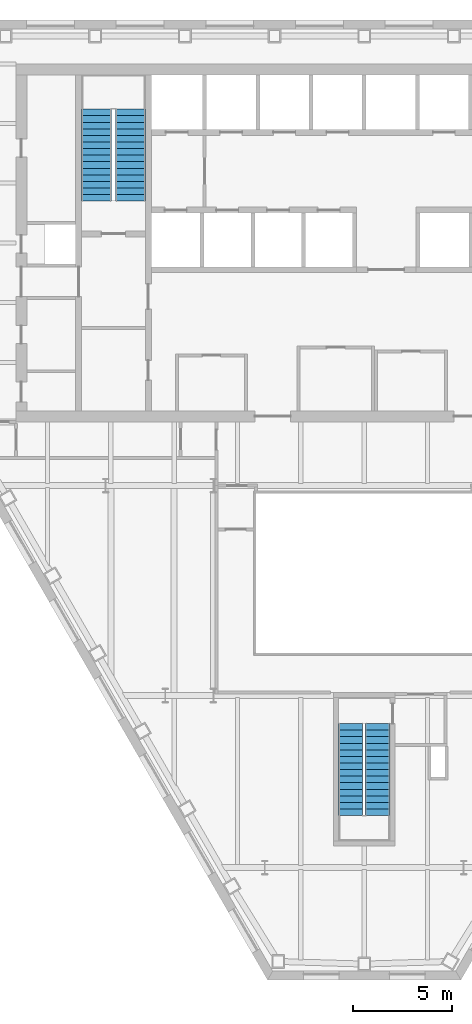
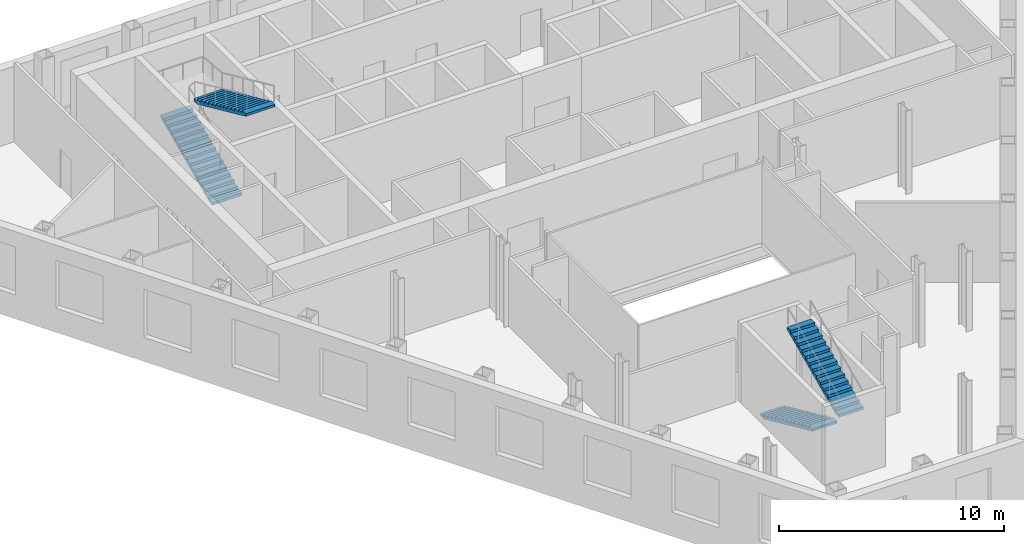
# One storey, part 9 of 11: 4 stair flights, 2 elements without a shape of their own.
"""IFC4 building model written with IfcOpenShell, lengths in metres."""

from ifc_helpers import new_model, si_unit, direction, frame, origin, place, context, subcontext, project, spatial, polygons, material, type_object, element, aggregate, save


model = new_model("IFC4")

# Units and contexts
model_context = context("Model", 3, precision=1e-05, world=origin(), true_north=direction((0.0, 1.0)))
body_context = subcontext(model_context, "Body", "Model", "MODEL_VIEW")
ifc_project = project(units=[si_unit("LENGTHUNIT", "METRE"), si_unit("AREAUNIT", "SQUARE_METRE"), si_unit("VOLUMEUNIT", "CUBIC_METRE"), si_unit("PLANEANGLEUNIT", "RADIAN"), si_unit("MASSUNIT", "GRAM", prefix="KILO")], contexts=[model_context])

# Site, building, storey
site_placement = place(None, origin())
site = spatial("IfcSite", under=ifc_project, at=site_placement, CompositionType="ELEMENT")
building_placement = place(site_placement, origin())
building = spatial("IfcBuilding", under=site, at=building_placement, Name="Njiva Tower", CompositionType="ELEMENT")
storey_placement = place(building_placement, frame((0.0, 0.0, 120.3)))
storey = spatial("IfcBuildingStorey", under=building, at=storey_placement, Name="L25", CompositionType="ELEMENT", Elevation=120.3)

# Stair, stair flights
ifc_material = material(Name="Concrete C40/50", Category="concrete")
stair_type_1 = type_object("IfcStairType", Name="ST1 Exit stair 1250", PredefinedType="HALF_TURN_STAIR", material=ifc_material)
stair_1_placement = place(storey_placement, origin())
stair_1 = element("IfcStair", 1, at=stair_1_placement, inside=storey, type_object=stair_type_1, Name="Stair C", PredefinedType="HALF_TURN_STAIR")
stair_flight_type_1 = type_object("IfcStairFlightType", Name="FL1 Stair flight 1250", PredefinedType="STRAIGHT", material=ifc_material)
stair_flight_1_placement = place(storey_placement, frame((-0.675, -15.16, 0.0), z_axis=(0.0, 0.0, 1.0), x_axis=(0.0, -1.0, 0.0)))
stair_flight_1 = element("IfcStairFlight", 2, at=stair_flight_1_placement, type_object=stair_flight_type_1, Name="ST-C flight 1", NumberOfRisers=15, NumberOfTreads=14, PredefinedType="STRAIGHT", RiserHeight=0.15, TreadLength=0.33, context=body_context, shape_type="Tessellation", body=[
    polygons([(0.0, 0.625, 0.0), (0.0, 0.3125, 0.0), (0.0, 0.0, 0.0), (0.0, -0.3125, 0.0), (0.0, -0.625, 0.0), (0.0, 0.625, 0.15), (0.0, 0.3125, 0.15), (0.0, 0.0, 0.15), (0.0, -0.3125, 0.15), (0.0, -0.625, 0.15), (0.33, 0.625, 0.15), (0.33, 0.3125, 0.15), (0.33, 0.0, 0.15), (0.33, -0.3125, 0.15), (0.33, -0.625, 0.15), (0.33, 0.625, 0.3), (0.33, 0.3125, 0.3), (0.33, 0.0, 0.3), (0.33, -0.3125, 0.3), (0.33, -0.625, 0.3), (0.66, 0.625, 0.3), (0.66, 0.3125, 0.3), (0.66, 0.0, 0.3), (0.66, -0.3125, 0.3), (0.66, -0.625, 0.3), (0.66, 0.625, 0.45), (0.66, 0.3125, 0.45), (0.66, 0.0, 0.45), (0.66, -0.3125, 0.45), (0.66, -0.625, 0.45), (0.99, 0.625, 0.45), (0.99, 0.3125, 0.45), (0.99, 0.0, 0.45), (0.99, -0.3125, 0.45), (0.99, -0.625, 0.45), (0.99, 0.625, 0.6), (0.99, 0.3125, 0.6), (0.99, 0.0, 0.6), (0.99, -0.3125, 0.6), (0.99, -0.625, 0.6), (1.32, 0.625, 0.6), (1.32, 0.3125, 0.6), (1.32, 0.0, 0.6), (1.32, -0.3125, 0.6), (1.32, -0.625, 0.6), (1.32, 0.625, 0.75), (1.32, 0.3125, 0.75), (1.32, 0.0, 0.75), (1.32, -0.3125, 0.75), (1.32, -0.625, 0.75), (1.65, 0.625, 0.75), (1.65, 0.3125, 0.75), (1.65, 0.0, 0.75), (1.65, -0.3125, 0.75), (1.65, -0.625, 0.75), (1.65, 0.625, 0.9), (1.65, 0.3125, 0.9), (1.65, 0.0, 0.9), (1.65, -0.3125, 0.9), (1.65, -0.625, 0.9), (1.98, 0.625, 0.9), (1.98, 0.3125, 0.9), (1.98, 0.0, 0.9), (1.98, -0.3125, 0.9), (1.98, -0.625, 0.9), (1.98, 0.625, 1.05), (1.98, 0.3125, 1.05), (1.98, 0.0, 1.05), (1.98, -0.3125, 1.05), (1.98, -0.625, 1.05), (2.31, 0.625, 1.05), (2.31, 0.3125, 1.05), (2.31, 0.0, 1.05), (2.31, -0.3125, 1.05), (2.31, -0.625, 1.05), (2.31, 0.625, 1.2), (2.31, 0.3125, 1.2), (2.31, 0.0, 1.2), (2.31, -0.3125, 1.2), (2.31, -0.625, 1.2), (2.64, 0.625, 1.2), (2.64, 0.3125, 1.2), (2.64, 0.0, 1.2), (2.64, -0.3125, 1.2), (2.64, -0.625, 1.2), (2.64, 0.625, 1.35), (2.64, 0.3125, 1.35), (2.64, 0.0, 1.35), (2.64, -0.3125, 1.35), (2.64, -0.625, 1.35), (2.97, 0.625, 1.35), (2.97, 0.3125, 1.35), (2.97, 0.0, 1.35), (2.97, -0.3125, 1.35), (2.97, -0.625, 1.35), (2.97, 0.625, 1.5), (2.97, 0.3125, 1.5), (2.97, 0.0, 1.5), (2.97, -0.3125, 1.5), (2.97, -0.625, 1.5), (3.3, 0.625, 1.5), (3.3, 0.3125, 1.5), (3.3, 0.0, 1.5), (3.3, -0.3125, 1.5), (3.3, -0.625, 1.5), (3.3, 0.625, 1.65), (3.3, 0.3125, 1.65), (3.3, 0.0, 1.65), (3.3, -0.3125, 1.65), (3.3, -0.625, 1.65), (3.63, 0.625, 1.65), (3.63, 0.3125, 1.65), (3.63, 0.0, 1.65), (3.63, -0.3125, 1.65), (3.63, -0.625, 1.65), (3.63, 0.625, 1.8), (3.63, 0.3125, 1.8), (3.63, 0.0, 1.8), (3.63, -0.3125, 1.8), (3.63, -0.625, 1.8), (3.96, 0.625, 1.8), (3.96, 0.3125, 1.8), (3.96, 0.0, 1.8), (3.96, -0.3125, 1.8), (3.96, -0.625, 1.8), (3.96, 0.625, 1.95), (3.96, 0.3125, 1.95), (3.96, 0.0, 1.95), (3.96, -0.3125, 1.95), (3.96, -0.625, 1.95), (4.29, 0.625, 1.95), (4.29, 0.3125, 1.95), (4.29, 0.0, 1.95), (4.29, -0.3125, 1.95), (4.29, -0.625, 1.95), (4.29, 0.625, 2.1), (4.29, 0.3125, 2.1), (4.29, 0.0, 2.1), (4.29, -0.3125, 2.1), (4.29, -0.625, 2.1), (4.62, 0.625, 2.1), (4.62, 0.3125, 2.1), (4.62, 0.0, 2.1), (4.62, -0.3125, 2.1), (4.62, -0.625, 2.1), (4.62, 0.625, 1.9682), (4.62, 0.3125, 1.9682), (4.62, 0.0, 1.9682), (4.62, -0.3125, 1.9682), (4.62, -0.625, 1.9682), (0.29, 0.625, 0.0), (0.29, 0.3125, 0.0), (0.29, 0.0, 0.0), (0.29, -0.3125, 0.0), (0.29, -0.625, 0.0)], [[[1, 6, 11, 16, 21, 26, 31, 36, 41, 46, 51, 56, 61, 66, 71, 76, 81, 86, 91, 96, 101, 106, 111, 116, 121, 126, 131, 136, 141, 146, 151]], [[155, 150, 145, 140, 135, 130, 125, 120, 115, 110, 105, 100, 95, 90, 85, 80, 75, 70, 65, 60, 55, 50, 45, 40, 35, 30, 25, 20, 15, 10, 5]], [[6, 1, 2, 7]], [[7, 2, 3, 8]], [[8, 3, 4, 9]], [[9, 4, 5, 10]], [[11, 6, 7, 12]], [[12, 7, 8, 13]], [[13, 8, 9, 14]], [[14, 9, 10, 15]], [[16, 11, 12, 17]], [[17, 12, 13, 18]], [[18, 13, 14, 19]], [[19, 14, 15, 20]], [[21, 16, 17, 22]], [[22, 17, 18, 23]], [[23, 18, 19, 24]], [[24, 19, 20, 25]], [[26, 21, 22, 27]], [[27, 22, 23, 28]], [[28, 23, 24, 29]], [[29, 24, 25, 30]], [[31, 26, 27, 32]], [[32, 27, 28, 33]], [[33, 28, 29, 34]], [[34, 29, 30, 35]], [[36, 31, 32, 37]], [[37, 32, 33, 38]], [[38, 33, 34, 39]], [[39, 34, 35, 40]], [[41, 36, 37, 42]], [[42, 37, 38, 43]], [[43, 38, 39, 44]], [[44, 39, 40, 45]], [[46, 41, 42, 47]], [[47, 42, 43, 48]], [[48, 43, 44, 49]], [[49, 44, 45, 50]], [[51, 46, 47, 52]], [[52, 47, 48, 53]], [[53, 48, 49, 54]], [[54, 49, 50, 55]], [[56, 51, 52, 57]], [[57, 52, 53, 58]], [[58, 53, 54, 59]], [[59, 54, 55, 60]], [[61, 56, 57, 62]], [[62, 57, 58, 63]], [[63, 58, 59, 64]], [[64, 59, 60, 65]], [[66, 61, 62, 67]], [[67, 62, 63, 68]], [[68, 63, 64, 69]], [[69, 64, 65, 70]], [[71, 66, 67, 72]], [[72, 67, 68, 73]], [[73, 68, 69, 74]], [[74, 69, 70, 75]], [[76, 71, 72, 77]], [[77, 72, 73, 78]], [[78, 73, 74, 79]], [[79, 74, 75, 80]], [[81, 76, 77, 82]], [[82, 77, 78, 83]], [[83, 78, 79, 84]], [[84, 79, 80, 85]], [[86, 81, 82, 87]], [[87, 82, 83, 88]], [[88, 83, 84, 89]], [[89, 84, 85, 90]], [[91, 86, 87, 92]], [[92, 87, 88, 93]], [[93, 88, 89, 94]], [[94, 89, 90, 95]], [[96, 91, 92, 97]], [[97, 92, 93, 98]], [[98, 93, 94, 99]], [[99, 94, 95, 100]], [[101, 96, 97, 102]], [[102, 97, 98, 103]], [[103, 98, 99, 104]], [[104, 99, 100, 105]], [[106, 101, 102, 107]], [[107, 102, 103, 108]], [[108, 103, 104, 109]], [[109, 104, 105, 110]], [[111, 106, 107, 112]], [[112, 107, 108, 113]], [[113, 108, 109, 114]], [[114, 109, 110, 115]], [[116, 111, 112, 117]], [[117, 112, 113, 118]], [[118, 113, 114, 119]], [[119, 114, 115, 120]], [[121, 116, 117, 122]], [[122, 117, 118, 123]], [[123, 118, 119, 124]], [[124, 119, 120, 125]], [[126, 121, 122, 127]], [[127, 122, 123, 128]], [[128, 123, 124, 129]], [[129, 124, 125, 130]], [[131, 126, 127, 132]], [[132, 127, 128, 133]], [[133, 128, 129, 134]], [[134, 129, 130, 135]], [[136, 131, 132, 137]], [[137, 132, 133, 138]], [[138, 133, 134, 139]], [[139, 134, 135, 140]], [[141, 136, 137, 142]], [[142, 137, 138, 143]], [[143, 138, 139, 144]], [[144, 139, 140, 145]], [[146, 141, 142, 147]], [[147, 142, 143, 148]], [[148, 143, 144, 149]], [[149, 144, 145, 150]], [[151, 146, 147, 152]], [[152, 147, 148, 153]], [[153, 148, 149, 154]], [[154, 149, 150, 155]], [[1, 151, 152, 2]], [[2, 152, 153, 3]], [[3, 153, 154, 4]], [[4, 154, 155, 5]]], closed=True),
])
stair_flight_2_placement = place(storey_placement, frame((0.675, -19.78, 2.25), z_axis=(0.0, 0.0, 1.0), x_axis=(0.0, 1.0, 0.0)))
stair_flight_2 = element("IfcStairFlight", 3, at=stair_flight_2_placement, type_object=stair_flight_type_1, Name="ST-C flight 2", NumberOfRisers=15, NumberOfTreads=14, PredefinedType="STRAIGHT", RiserHeight=0.15, TreadLength=0.33, context=body_context, shape_type="Tessellation", body=[
    polygons([(0.0, 0.625, 0.0), (0.0, 0.3125, 0.0), (0.0, 0.0, 0.0), (0.0, -0.3125, 0.0), (0.0, -0.625, 0.0), (0.0, 0.625, 0.15), (0.0, 0.3125, 0.15), (0.0, 0.0, 0.15), (0.0, -0.3125, 0.15), (0.0, -0.625, 0.15), (0.33, 0.625, 0.15), (0.33, 0.3125, 0.15), (0.33, 0.0, 0.15), (0.33, -0.3125, 0.15), (0.33, -0.625, 0.15), (0.33, 0.625, 0.3), (0.33, 0.3125, 0.3), (0.33, 0.0, 0.3), (0.33, -0.3125, 0.3), (0.33, -0.625, 0.3), (0.66, 0.625, 0.3), (0.66, 0.3125, 0.3), (0.66, 0.0, 0.3), (0.66, -0.3125, 0.3), (0.66, -0.625, 0.3), (0.66, 0.625, 0.45), (0.66, 0.3125, 0.45), (0.66, 0.0, 0.45), (0.66, -0.3125, 0.45), (0.66, -0.625, 0.45), (0.99, 0.625, 0.45), (0.99, 0.3125, 0.45), (0.99, 0.0, 0.45), (0.99, -0.3125, 0.45), (0.99, -0.625, 0.45), (0.99, 0.625, 0.6), (0.99, 0.3125, 0.6), (0.99, 0.0, 0.6), (0.99, -0.3125, 0.6), (0.99, -0.625, 0.6), (1.32, 0.625, 0.6), (1.32, 0.3125, 0.6), (1.32, 0.0, 0.6), (1.32, -0.3125, 0.6), (1.32, -0.625, 0.6), (1.32, 0.625, 0.75), (1.32, 0.3125, 0.75), (1.32, 0.0, 0.75), (1.32, -0.3125, 0.75), (1.32, -0.625, 0.75), (1.65, 0.625, 0.75), (1.65, 0.3125, 0.75), (1.65, 0.0, 0.75), (1.65, -0.3125, 0.75), (1.65, -0.625, 0.75), (1.65, 0.625, 0.9), (1.65, 0.3125, 0.9), (1.65, 0.0, 0.9), (1.65, -0.3125, 0.9), (1.65, -0.625, 0.9), (1.98, 0.625, 0.9), (1.98, 0.3125, 0.9), (1.98, 0.0, 0.9), (1.98, -0.3125, 0.9), (1.98, -0.625, 0.9), (1.98, 0.625, 1.05), (1.98, 0.3125, 1.05), (1.98, 0.0, 1.05), (1.98, -0.3125, 1.05), (1.98, -0.625, 1.05), (2.31, 0.625, 1.05), (2.31, 0.3125, 1.05), (2.31, 0.0, 1.05), (2.31, -0.3125, 1.05), (2.31, -0.625, 1.05), (2.31, 0.625, 1.2), (2.31, 0.3125, 1.2), (2.31, 0.0, 1.2), (2.31, -0.3125, 1.2), (2.31, -0.625, 1.2), (2.64, 0.625, 1.2), (2.64, 0.3125, 1.2), (2.64, 0.0, 1.2), (2.64, -0.3125, 1.2), (2.64, -0.625, 1.2), (2.64, 0.625, 1.35), (2.64, 0.3125, 1.35), (2.64, 0.0, 1.35), (2.64, -0.3125, 1.35), (2.64, -0.625, 1.35), (2.97, 0.625, 1.35), (2.97, 0.3125, 1.35), (2.97, 0.0, 1.35), (2.97, -0.3125, 1.35), (2.97, -0.625, 1.35), (2.97, 0.625, 1.5), (2.97, 0.3125, 1.5), (2.97, 0.0, 1.5), (2.97, -0.3125, 1.5), (2.97, -0.625, 1.5), (3.3, 0.625, 1.5), (3.3, 0.3125, 1.5), (3.3, 0.0, 1.5), (3.3, -0.3125, 1.5), (3.3, -0.625, 1.5), (3.3, 0.625, 1.65), (3.3, 0.3125, 1.65), (3.3, 0.0, 1.65), (3.3, -0.3125, 1.65), (3.3, -0.625, 1.65), (3.63, 0.625, 1.65), (3.63, 0.3125, 1.65), (3.63, 0.0, 1.65), (3.63, -0.3125, 1.65), (3.63, -0.625, 1.65), (3.63, 0.625, 1.8), (3.63, 0.3125, 1.8), (3.63, 0.0, 1.8), (3.63, -0.3125, 1.8), (3.63, -0.625, 1.8), (3.96, 0.625, 1.8), (3.96, 0.3125, 1.8), (3.96, 0.0, 1.8), (3.96, -0.3125, 1.8), (3.96, -0.625, 1.8), (3.96, 0.625, 1.95), (3.96, 0.3125, 1.95), (3.96, 0.0, 1.95), (3.96, -0.3125, 1.95), (3.96, -0.625, 1.95), (4.29, 0.625, 1.95), (4.29, 0.3125, 1.95), (4.29, 0.0, 1.95), (4.29, -0.3125, 1.95), (4.29, -0.625, 1.95), (4.29, 0.625, 2.1), (4.29, 0.3125, 2.1), (4.29, 0.0, 2.1), (4.29, -0.3125, 2.1), (4.29, -0.625, 2.1), (4.62, 0.625, 2.1), (4.62, 0.3125, 2.1), (4.62, 0.0, 2.1), (4.62, -0.3125, 2.1), (4.62, -0.625, 2.1), (4.62, 0.625, 1.9682), (4.62, 0.3125, 1.9682), (4.62, 0.0, 1.9682), (4.62, -0.3125, 1.9682), (4.62, -0.625, 1.9682), (0.29, 0.625, 0.0), (0.29, 0.3125, 0.0), (0.29, 0.0, 0.0), (0.29, -0.3125, 0.0), (0.29, -0.625, 0.0)], [[[1, 6, 11, 16, 21, 26, 31, 36, 41, 46, 51, 56, 61, 66, 71, 76, 81, 86, 91, 96, 101, 106, 111, 116, 121, 126, 131, 136, 141, 146, 151]], [[155, 150, 145, 140, 135, 130, 125, 120, 115, 110, 105, 100, 95, 90, 85, 80, 75, 70, 65, 60, 55, 50, 45, 40, 35, 30, 25, 20, 15, 10, 5]], [[6, 1, 2, 7]], [[7, 2, 3, 8]], [[8, 3, 4, 9]], [[9, 4, 5, 10]], [[11, 6, 7, 12]], [[12, 7, 8, 13]], [[13, 8, 9, 14]], [[14, 9, 10, 15]], [[16, 11, 12, 17]], [[17, 12, 13, 18]], [[18, 13, 14, 19]], [[19, 14, 15, 20]], [[21, 16, 17, 22]], [[22, 17, 18, 23]], [[23, 18, 19, 24]], [[24, 19, 20, 25]], [[26, 21, 22, 27]], [[27, 22, 23, 28]], [[28, 23, 24, 29]], [[29, 24, 25, 30]], [[31, 26, 27, 32]], [[32, 27, 28, 33]], [[33, 28, 29, 34]], [[34, 29, 30, 35]], [[36, 31, 32, 37]], [[37, 32, 33, 38]], [[38, 33, 34, 39]], [[39, 34, 35, 40]], [[41, 36, 37, 42]], [[42, 37, 38, 43]], [[43, 38, 39, 44]], [[44, 39, 40, 45]], [[46, 41, 42, 47]], [[47, 42, 43, 48]], [[48, 43, 44, 49]], [[49, 44, 45, 50]], [[51, 46, 47, 52]], [[52, 47, 48, 53]], [[53, 48, 49, 54]], [[54, 49, 50, 55]], [[56, 51, 52, 57]], [[57, 52, 53, 58]], [[58, 53, 54, 59]], [[59, 54, 55, 60]], [[61, 56, 57, 62]], [[62, 57, 58, 63]], [[63, 58, 59, 64]], [[64, 59, 60, 65]], [[66, 61, 62, 67]], [[67, 62, 63, 68]], [[68, 63, 64, 69]], [[69, 64, 65, 70]], [[71, 66, 67, 72]], [[72, 67, 68, 73]], [[73, 68, 69, 74]], [[74, 69, 70, 75]], [[76, 71, 72, 77]], [[77, 72, 73, 78]], [[78, 73, 74, 79]], [[79, 74, 75, 80]], [[81, 76, 77, 82]], [[82, 77, 78, 83]], [[83, 78, 79, 84]], [[84, 79, 80, 85]], [[86, 81, 82, 87]], [[87, 82, 83, 88]], [[88, 83, 84, 89]], [[89, 84, 85, 90]], [[91, 86, 87, 92]], [[92, 87, 88, 93]], [[93, 88, 89, 94]], [[94, 89, 90, 95]], [[96, 91, 92, 97]], [[97, 92, 93, 98]], [[98, 93, 94, 99]], [[99, 94, 95, 100]], [[101, 96, 97, 102]], [[102, 97, 98, 103]], [[103, 98, 99, 104]], [[104, 99, 100, 105]], [[106, 101, 102, 107]], [[107, 102, 103, 108]], [[108, 103, 104, 109]], [[109, 104, 105, 110]], [[111, 106, 107, 112]], [[112, 107, 108, 113]], [[113, 108, 109, 114]], [[114, 109, 110, 115]], [[116, 111, 112, 117]], [[117, 112, 113, 118]], [[118, 113, 114, 119]], [[119, 114, 115, 120]], [[121, 116, 117, 122]], [[122, 117, 118, 123]], [[123, 118, 119, 124]], [[124, 119, 120, 125]], [[126, 121, 122, 127]], [[127, 122, 123, 128]], [[128, 123, 124, 129]], [[129, 124, 125, 130]], [[131, 126, 127, 132]], [[132, 127, 128, 133]], [[133, 128, 129, 134]], [[134, 129, 130, 135]], [[136, 131, 132, 137]], [[137, 132, 133, 138]], [[138, 133, 134, 139]], [[139, 134, 135, 140]], [[141, 136, 137, 142]], [[142, 137, 138, 143]], [[143, 138, 139, 144]], [[144, 139, 140, 145]], [[146, 141, 142, 147]], [[147, 142, 143, 148]], [[148, 143, 144, 149]], [[149, 144, 145, 150]], [[151, 146, 147, 152]], [[152, 147, 148, 153]], [[153, 148, 149, 154]], [[154, 149, 150, 155]], [[1, 151, 152, 2]], [[2, 152, 153, 3]], [[3, 153, 154, 4]], [[4, 154, 155, 5]]], closed=True),
])
aggregate(stair_1, [stair_flight_1, stair_flight_2])

stair_type_2 = type_object("IfcStairType", Name="ST4 Exit stair 1500", PredefinedType="HALF_TURN_STAIR", material=ifc_material)
stair_2_placement = place(storey_placement, origin())
stair_2 = element("IfcStair", 4, at=stair_2_placement, inside=storey, type_object=stair_type_2, Name="Stair A", PredefinedType="HALF_TURN_STAIR")
stair_flight_type_2 = type_object("IfcStairFlightType", Name="FL4 Stair flight 1500", PredefinedType="STRAIGHT", material=ifc_material)
stair_flight_3_placement = place(storey_placement, frame((-13.45, 11.1, 0.0), z_axis=(0.0, 0.0, 1.0), x_axis=(0.0, 1.0, 0.0)))
stair_flight_3 = element("IfcStairFlight", 5, at=stair_flight_3_placement, type_object=stair_flight_type_2, Name="ST-A flight 1", NumberOfRisers=15, NumberOfTreads=14, PredefinedType="STRAIGHT", RiserHeight=0.15, TreadLength=0.33, context=body_context, shape_type="Tessellation", body=[
    polygons([(0.0, 0.75, 0.0), (0.0, 0.375, 0.0), (0.0, 0.0, 0.0), (0.0, -0.375, 0.0), (0.0, -0.75, 0.0), (0.0, 0.75, 0.15), (0.0, 0.375, 0.15), (0.0, 0.0, 0.15), (0.0, -0.375, 0.15), (0.0, -0.75, 0.15), (0.33, 0.75, 0.15), (0.33, 0.375, 0.15), (0.33, 0.0, 0.15), (0.33, -0.375, 0.15), (0.33, -0.75, 0.15), (0.33, 0.75, 0.3), (0.33, 0.375, 0.3), (0.33, 0.0, 0.3), (0.33, -0.375, 0.3), (0.33, -0.75, 0.3), (0.66, 0.75, 0.3), (0.66, 0.375, 0.3), (0.66, 0.0, 0.3), (0.66, -0.375, 0.3), (0.66, -0.75, 0.3), (0.66, 0.75, 0.45), (0.66, 0.375, 0.45), (0.66, 0.0, 0.45), (0.66, -0.375, 0.45), (0.66, -0.75, 0.45), (0.99, 0.75, 0.45), (0.99, 0.375, 0.45), (0.99, 0.0, 0.45), (0.99, -0.375, 0.45), (0.99, -0.75, 0.45), (0.99, 0.75, 0.6), (0.99, 0.375, 0.6), (0.99, 0.0, 0.6), (0.99, -0.375, 0.6), (0.99, -0.75, 0.6), (1.32, 0.75, 0.6), (1.32, 0.375, 0.6), (1.32, 0.0, 0.6), (1.32, -0.375, 0.6), (1.32, -0.75, 0.6), (1.32, 0.75, 0.75), (1.32, 0.375, 0.75), (1.32, 0.0, 0.75), (1.32, -0.375, 0.75), (1.32, -0.75, 0.75), (1.65, 0.75, 0.75), (1.65, 0.375, 0.75), (1.65, 0.0, 0.75), (1.65, -0.375, 0.75), (1.65, -0.75, 0.75), (1.65, 0.75, 0.9), (1.65, 0.375, 0.9), (1.65, 0.0, 0.9), (1.65, -0.375, 0.9), (1.65, -0.75, 0.9), (1.98, 0.75, 0.9), (1.98, 0.375, 0.9), (1.98, 0.0, 0.9), (1.98, -0.375, 0.9), (1.98, -0.75, 0.9), (1.98, 0.75, 1.05), (1.98, 0.375, 1.05), (1.98, 0.0, 1.05), (1.98, -0.375, 1.05), (1.98, -0.75, 1.05), (2.31, 0.75, 1.05), (2.31, 0.375, 1.05), (2.31, 0.0, 1.05), (2.31, -0.375, 1.05), (2.31, -0.75, 1.05), (2.31, 0.75, 1.2), (2.31, 0.375, 1.2), (2.31, 0.0, 1.2), (2.31, -0.375, 1.2), (2.31, -0.75, 1.2), (2.64, 0.75, 1.2), (2.64, 0.375, 1.2), (2.64, 0.0, 1.2), (2.64, -0.375, 1.2), (2.64, -0.75, 1.2), (2.64, 0.75, 1.35), (2.64, 0.375, 1.35), (2.64, 0.0, 1.35), (2.64, -0.375, 1.35), (2.64, -0.75, 1.35), (2.97, 0.75, 1.35), (2.97, 0.375, 1.35), (2.97, 0.0, 1.35), (2.97, -0.375, 1.35), (2.97, -0.75, 1.35), (2.97, 0.75, 1.5), (2.97, 0.375, 1.5), (2.97, 0.0, 1.5), (2.97, -0.375, 1.5), (2.97, -0.75, 1.5), (3.3, 0.75, 1.5), (3.3, 0.375, 1.5), (3.3, 0.0, 1.5), (3.3, -0.375, 1.5), (3.3, -0.75, 1.5), (3.3, 0.75, 1.65), (3.3, 0.375, 1.65), (3.3, 0.0, 1.65), (3.3, -0.375, 1.65), (3.3, -0.75, 1.65), (3.63, 0.75, 1.65), (3.63, 0.375, 1.65), (3.63, 0.0, 1.65), (3.63, -0.375, 1.65), (3.63, -0.75, 1.65), (3.63, 0.75, 1.8), (3.63, 0.375, 1.8), (3.63, 0.0, 1.8), (3.63, -0.375, 1.8), (3.63, -0.75, 1.8), (3.96, 0.75, 1.8), (3.96, 0.375, 1.8), (3.96, 0.0, 1.8), (3.96, -0.375, 1.8), (3.96, -0.75, 1.8), (3.96, 0.75, 1.95), (3.96, 0.375, 1.95), (3.96, 0.0, 1.95), (3.96, -0.375, 1.95), (3.96, -0.75, 1.95), (4.29, 0.75, 1.95), (4.29, 0.375, 1.95), (4.29, 0.0, 1.95), (4.29, -0.375, 1.95), (4.29, -0.75, 1.95), (4.29, 0.75, 2.1), (4.29, 0.375, 2.1), (4.29, 0.0, 2.1), (4.29, -0.375, 2.1), (4.29, -0.75, 2.1), (4.62, 0.75, 2.1), (4.62, 0.375, 2.1), (4.62, 0.0, 2.1), (4.62, -0.375, 2.1), (4.62, -0.75, 2.1), (4.62, 0.75, 1.9682), (4.62, 0.375, 1.9682), (4.62, 0.0, 1.9682), (4.62, -0.375, 1.9682), (4.62, -0.75, 1.9682), (0.29, 0.75, 0.0), (0.29, 0.375, 0.0), (0.29, 0.0, 0.0), (0.29, -0.375, 0.0), (0.29, -0.75, 0.0)], [[[1, 6, 11, 16, 21, 26, 31, 36, 41, 46, 51, 56, 61, 66, 71, 76, 81, 86, 91, 96, 101, 106, 111, 116, 121, 126, 131, 136, 141, 146, 151]], [[155, 150, 145, 140, 135, 130, 125, 120, 115, 110, 105, 100, 95, 90, 85, 80, 75, 70, 65, 60, 55, 50, 45, 40, 35, 30, 25, 20, 15, 10, 5]], [[6, 1, 2, 7]], [[7, 2, 3, 8]], [[8, 3, 4, 9]], [[9, 4, 5, 10]], [[11, 6, 7, 12]], [[12, 7, 8, 13]], [[13, 8, 9, 14]], [[14, 9, 10, 15]], [[16, 11, 12, 17]], [[17, 12, 13, 18]], [[18, 13, 14, 19]], [[19, 14, 15, 20]], [[21, 16, 17, 22]], [[22, 17, 18, 23]], [[23, 18, 19, 24]], [[24, 19, 20, 25]], [[26, 21, 22, 27]], [[27, 22, 23, 28]], [[28, 23, 24, 29]], [[29, 24, 25, 30]], [[31, 26, 27, 32]], [[32, 27, 28, 33]], [[33, 28, 29, 34]], [[34, 29, 30, 35]], [[36, 31, 32, 37]], [[37, 32, 33, 38]], [[38, 33, 34, 39]], [[39, 34, 35, 40]], [[41, 36, 37, 42]], [[42, 37, 38, 43]], [[43, 38, 39, 44]], [[44, 39, 40, 45]], [[46, 41, 42, 47]], [[47, 42, 43, 48]], [[48, 43, 44, 49]], [[49, 44, 45, 50]], [[51, 46, 47, 52]], [[52, 47, 48, 53]], [[53, 48, 49, 54]], [[54, 49, 50, 55]], [[56, 51, 52, 57]], [[57, 52, 53, 58]], [[58, 53, 54, 59]], [[59, 54, 55, 60]], [[61, 56, 57, 62]], [[62, 57, 58, 63]], [[63, 58, 59, 64]], [[64, 59, 60, 65]], [[66, 61, 62, 67]], [[67, 62, 63, 68]], [[68, 63, 64, 69]], [[69, 64, 65, 70]], [[71, 66, 67, 72]], [[72, 67, 68, 73]], [[73, 68, 69, 74]], [[74, 69, 70, 75]], [[76, 71, 72, 77]], [[77, 72, 73, 78]], [[78, 73, 74, 79]], [[79, 74, 75, 80]], [[81, 76, 77, 82]], [[82, 77, 78, 83]], [[83, 78, 79, 84]], [[84, 79, 80, 85]], [[86, 81, 82, 87]], [[87, 82, 83, 88]], [[88, 83, 84, 89]], [[89, 84, 85, 90]], [[91, 86, 87, 92]], [[92, 87, 88, 93]], [[93, 88, 89, 94]], [[94, 89, 90, 95]], [[96, 91, 92, 97]], [[97, 92, 93, 98]], [[98, 93, 94, 99]], [[99, 94, 95, 100]], [[101, 96, 97, 102]], [[102, 97, 98, 103]], [[103, 98, 99, 104]], [[104, 99, 100, 105]], [[106, 101, 102, 107]], [[107, 102, 103, 108]], [[108, 103, 104, 109]], [[109, 104, 105, 110]], [[111, 106, 107, 112]], [[112, 107, 108, 113]], [[113, 108, 109, 114]], [[114, 109, 110, 115]], [[116, 111, 112, 117]], [[117, 112, 113, 118]], [[118, 113, 114, 119]], [[119, 114, 115, 120]], [[121, 116, 117, 122]], [[122, 117, 118, 123]], [[123, 118, 119, 124]], [[124, 119, 120, 125]], [[126, 121, 122, 127]], [[127, 122, 123, 128]], [[128, 123, 124, 129]], [[129, 124, 125, 130]], [[131, 126, 127, 132]], [[132, 127, 128, 133]], [[133, 128, 129, 134]], [[134, 129, 130, 135]], [[136, 131, 132, 137]], [[137, 132, 133, 138]], [[138, 133, 134, 139]], [[139, 134, 135, 140]], [[141, 136, 137, 142]], [[142, 137, 138, 143]], [[143, 138, 139, 144]], [[144, 139, 140, 145]], [[146, 141, 142, 147]], [[147, 142, 143, 148]], [[148, 143, 144, 149]], [[149, 144, 145, 150]], [[151, 146, 147, 152]], [[152, 147, 148, 153]], [[153, 148, 149, 154]], [[154, 149, 150, 155]], [[1, 151, 152, 2]], [[2, 152, 153, 3]], [[3, 153, 154, 4]], [[4, 154, 155, 5]]], closed=True),
])
stair_flight_4_placement = place(storey_placement, frame((-11.75, 15.72, 2.25), z_axis=(0.0, 0.0, 1.0), x_axis=(0.0, -1.0, 0.0)))
stair_flight_4 = element("IfcStairFlight", 6, at=stair_flight_4_placement, type_object=stair_flight_type_2, Name="ST-A flight 2", NumberOfRisers=15, NumberOfTreads=14, PredefinedType="STRAIGHT", RiserHeight=0.15, TreadLength=0.33, context=body_context, shape_type="Tessellation", body=[
    polygons([(0.0, 0.75, 0.0), (0.0, 0.375, 0.0), (0.0, 0.0, 0.0), (0.0, -0.375, 0.0), (0.0, -0.75, 0.0), (0.0, 0.75, 0.15), (0.0, 0.375, 0.15), (0.0, 0.0, 0.15), (0.0, -0.375, 0.15), (0.0, -0.75, 0.15), (0.33, 0.75, 0.15), (0.33, 0.375, 0.15), (0.33, 0.0, 0.15), (0.33, -0.375, 0.15), (0.33, -0.75, 0.15), (0.33, 0.75, 0.3), (0.33, 0.375, 0.3), (0.33, 0.0, 0.3), (0.33, -0.375, 0.3), (0.33, -0.75, 0.3), (0.66, 0.75, 0.3), (0.66, 0.375, 0.3), (0.66, 0.0, 0.3), (0.66, -0.375, 0.3), (0.66, -0.75, 0.3), (0.66, 0.75, 0.45), (0.66, 0.375, 0.45), (0.66, 0.0, 0.45), (0.66, -0.375, 0.45), (0.66, -0.75, 0.45), (0.99, 0.75, 0.45), (0.99, 0.375, 0.45), (0.99, 0.0, 0.45), (0.99, -0.375, 0.45), (0.99, -0.75, 0.45), (0.99, 0.75, 0.6), (0.99, 0.375, 0.6), (0.99, 0.0, 0.6), (0.99, -0.375, 0.6), (0.99, -0.75, 0.6), (1.32, 0.75, 0.6), (1.32, 0.375, 0.6), (1.32, 0.0, 0.6), (1.32, -0.375, 0.6), (1.32, -0.75, 0.6), (1.32, 0.75, 0.75), (1.32, 0.375, 0.75), (1.32, 0.0, 0.75), (1.32, -0.375, 0.75), (1.32, -0.75, 0.75), (1.65, 0.75, 0.75), (1.65, 0.375, 0.75), (1.65, 0.0, 0.75), (1.65, -0.375, 0.75), (1.65, -0.75, 0.75), (1.65, 0.75, 0.9), (1.65, 0.375, 0.9), (1.65, 0.0, 0.9), (1.65, -0.375, 0.9), (1.65, -0.75, 0.9), (1.98, 0.75, 0.9), (1.98, 0.375, 0.9), (1.98, 0.0, 0.9), (1.98, -0.375, 0.9), (1.98, -0.75, 0.9), (1.98, 0.75, 1.05), (1.98, 0.375, 1.05), (1.98, 0.0, 1.05), (1.98, -0.375, 1.05), (1.98, -0.75, 1.05), (2.31, 0.75, 1.05), (2.31, 0.375, 1.05), (2.31, 0.0, 1.05), (2.31, -0.375, 1.05), (2.31, -0.75, 1.05), (2.31, 0.75, 1.2), (2.31, 0.375, 1.2), (2.31, 0.0, 1.2), (2.31, -0.375, 1.2), (2.31, -0.75, 1.2), (2.64, 0.75, 1.2), (2.64, 0.375, 1.2), (2.64, 0.0, 1.2), (2.64, -0.375, 1.2), (2.64, -0.75, 1.2), (2.64, 0.75, 1.35), (2.64, 0.375, 1.35), (2.64, 0.0, 1.35), (2.64, -0.375, 1.35), (2.64, -0.75, 1.35), (2.97, 0.75, 1.35), (2.97, 0.375, 1.35), (2.97, 0.0, 1.35), (2.97, -0.375, 1.35), (2.97, -0.75, 1.35), (2.97, 0.75, 1.5), (2.97, 0.375, 1.5), (2.97, 0.0, 1.5), (2.97, -0.375, 1.5), (2.97, -0.75, 1.5), (3.3, 0.75, 1.5), (3.3, 0.375, 1.5), (3.3, 0.0, 1.5), (3.3, -0.375, 1.5), (3.3, -0.75, 1.5), (3.3, 0.75, 1.65), (3.3, 0.375, 1.65), (3.3, 0.0, 1.65), (3.3, -0.375, 1.65), (3.3, -0.75, 1.65), (3.63, 0.75, 1.65), (3.63, 0.375, 1.65), (3.63, 0.0, 1.65), (3.63, -0.375, 1.65), (3.63, -0.75, 1.65), (3.63, 0.75, 1.8), (3.63, 0.375, 1.8), (3.63, 0.0, 1.8), (3.63, -0.375, 1.8), (3.63, -0.75, 1.8), (3.96, 0.75, 1.8), (3.96, 0.375, 1.8), (3.96, 0.0, 1.8), (3.96, -0.375, 1.8), (3.96, -0.75, 1.8), (3.96, 0.75, 1.95), (3.96, 0.375, 1.95), (3.96, 0.0, 1.95), (3.96, -0.375, 1.95), (3.96, -0.75, 1.95), (4.29, 0.75, 1.95), (4.29, 0.375, 1.95), (4.29, 0.0, 1.95), (4.29, -0.375, 1.95), (4.29, -0.75, 1.95), (4.29, 0.75, 2.1), (4.29, 0.375, 2.1), (4.29, 0.0, 2.1), (4.29, -0.375, 2.1), (4.29, -0.75, 2.1), (4.62, 0.75, 2.1), (4.62, 0.375, 2.1), (4.62, 0.0, 2.1), (4.62, -0.375, 2.1), (4.62, -0.75, 2.1), (4.62, 0.75, 1.9682), (4.62, 0.375, 1.9682), (4.62, 0.0, 1.9682), (4.62, -0.375, 1.9682), (4.62, -0.75, 1.9682), (0.29, 0.75, 0.0), (0.29, 0.375, 0.0), (0.29, 0.0, 0.0), (0.29, -0.375, 0.0), (0.29, -0.75, 0.0)], [[[1, 6, 11, 16, 21, 26, 31, 36, 41, 46, 51, 56, 61, 66, 71, 76, 81, 86, 91, 96, 101, 106, 111, 116, 121, 126, 131, 136, 141, 146, 151]], [[155, 150, 145, 140, 135, 130, 125, 120, 115, 110, 105, 100, 95, 90, 85, 80, 75, 70, 65, 60, 55, 50, 45, 40, 35, 30, 25, 20, 15, 10, 5]], [[6, 1, 2, 7]], [[7, 2, 3, 8]], [[8, 3, 4, 9]], [[9, 4, 5, 10]], [[11, 6, 7, 12]], [[12, 7, 8, 13]], [[13, 8, 9, 14]], [[14, 9, 10, 15]], [[16, 11, 12, 17]], [[17, 12, 13, 18]], [[18, 13, 14, 19]], [[19, 14, 15, 20]], [[21, 16, 17, 22]], [[22, 17, 18, 23]], [[23, 18, 19, 24]], [[24, 19, 20, 25]], [[26, 21, 22, 27]], [[27, 22, 23, 28]], [[28, 23, 24, 29]], [[29, 24, 25, 30]], [[31, 26, 27, 32]], [[32, 27, 28, 33]], [[33, 28, 29, 34]], [[34, 29, 30, 35]], [[36, 31, 32, 37]], [[37, 32, 33, 38]], [[38, 33, 34, 39]], [[39, 34, 35, 40]], [[41, 36, 37, 42]], [[42, 37, 38, 43]], [[43, 38, 39, 44]], [[44, 39, 40, 45]], [[46, 41, 42, 47]], [[47, 42, 43, 48]], [[48, 43, 44, 49]], [[49, 44, 45, 50]], [[51, 46, 47, 52]], [[52, 47, 48, 53]], [[53, 48, 49, 54]], [[54, 49, 50, 55]], [[56, 51, 52, 57]], [[57, 52, 53, 58]], [[58, 53, 54, 59]], [[59, 54, 55, 60]], [[61, 56, 57, 62]], [[62, 57, 58, 63]], [[63, 58, 59, 64]], [[64, 59, 60, 65]], [[66, 61, 62, 67]], [[67, 62, 63, 68]], [[68, 63, 64, 69]], [[69, 64, 65, 70]], [[71, 66, 67, 72]], [[72, 67, 68, 73]], [[73, 68, 69, 74]], [[74, 69, 70, 75]], [[76, 71, 72, 77]], [[77, 72, 73, 78]], [[78, 73, 74, 79]], [[79, 74, 75, 80]], [[81, 76, 77, 82]], [[82, 77, 78, 83]], [[83, 78, 79, 84]], [[84, 79, 80, 85]], [[86, 81, 82, 87]], [[87, 82, 83, 88]], [[88, 83, 84, 89]], [[89, 84, 85, 90]], [[91, 86, 87, 92]], [[92, 87, 88, 93]], [[93, 88, 89, 94]], [[94, 89, 90, 95]], [[96, 91, 92, 97]], [[97, 92, 93, 98]], [[98, 93, 94, 99]], [[99, 94, 95, 100]], [[101, 96, 97, 102]], [[102, 97, 98, 103]], [[103, 98, 99, 104]], [[104, 99, 100, 105]], [[106, 101, 102, 107]], [[107, 102, 103, 108]], [[108, 103, 104, 109]], [[109, 104, 105, 110]], [[111, 106, 107, 112]], [[112, 107, 108, 113]], [[113, 108, 109, 114]], [[114, 109, 110, 115]], [[116, 111, 112, 117]], [[117, 112, 113, 118]], [[118, 113, 114, 119]], [[119, 114, 115, 120]], [[121, 116, 117, 122]], [[122, 117, 118, 123]], [[123, 118, 119, 124]], [[124, 119, 120, 125]], [[126, 121, 122, 127]], [[127, 122, 123, 128]], [[128, 123, 124, 129]], [[129, 124, 125, 130]], [[131, 126, 127, 132]], [[132, 127, 128, 133]], [[133, 128, 129, 134]], [[134, 129, 130, 135]], [[136, 131, 132, 137]], [[137, 132, 133, 138]], [[138, 133, 134, 139]], [[139, 134, 135, 140]], [[141, 136, 137, 142]], [[142, 137, 138, 143]], [[143, 138, 139, 144]], [[144, 139, 140, 145]], [[146, 141, 142, 147]], [[147, 142, 143, 148]], [[148, 143, 144, 149]], [[149, 144, 145, 150]], [[151, 146, 147, 152]], [[152, 147, 148, 153]], [[153, 148, 149, 154]], [[154, 149, 150, 155]], [[1, 151, 152, 2]], [[2, 152, 153, 3]], [[3, 153, 154, 4]], [[4, 154, 155, 5]]], closed=True),
])
aggregate(stair_2, [stair_flight_3, stair_flight_4])

save(model, "model.ifc")
